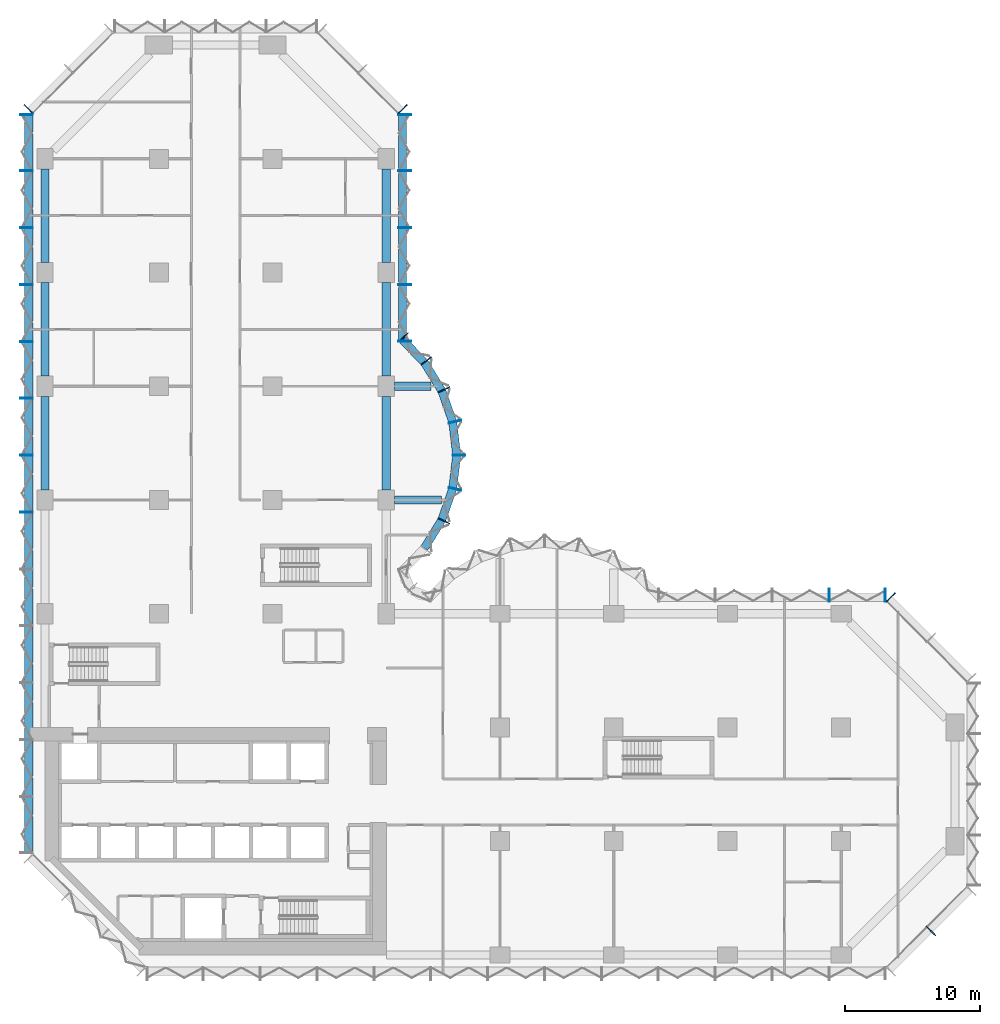
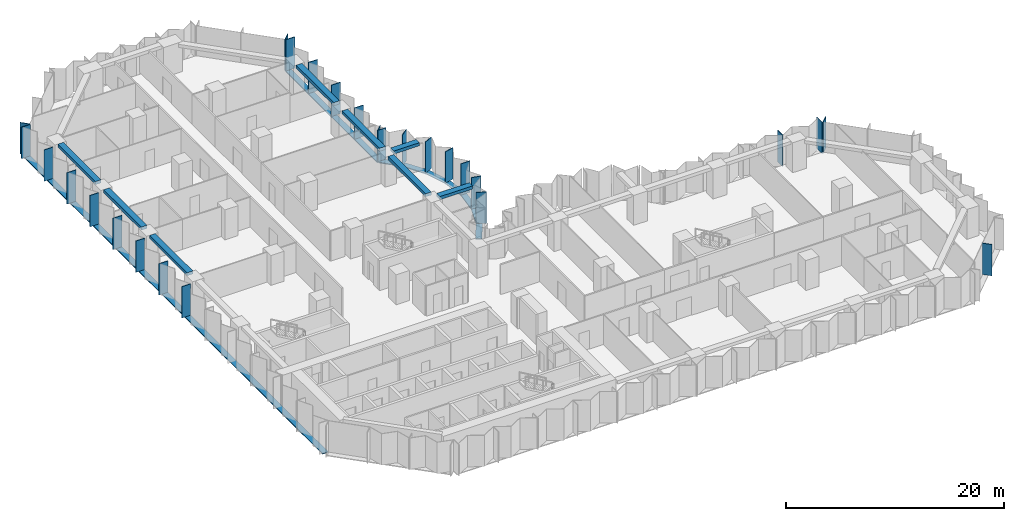
# One storey, part 3 of 15: 35 members, 8 beams, 8 elements without a shape of their own.
"""IFC4 building model written with IfcOpenShell, lengths in metres."""

from ifc_helpers import new_model, si_unit, direction, frame, origin, origin_2d, place, context, subcontext, project, spatial, rectangle, extrude, material, material_profile, profile_set, type_object, element, aggregate, save


model = new_model("IFC4")

# Units and contexts
model_context = context("Model", 3, precision=1e-05, world=origin(), true_north=direction((0.0, 1.0)))
body_context = subcontext(model_context, "Body", "Model", "MODEL_VIEW")
ifc_project = project(units=[si_unit("LENGTHUNIT", "METRE"), si_unit("AREAUNIT", "SQUARE_METRE"), si_unit("VOLUMEUNIT", "CUBIC_METRE"), si_unit("PLANEANGLEUNIT", "RADIAN"), si_unit("MASSUNIT", "GRAM", prefix="KILO")], contexts=[model_context])

# Site, building, storey
site_placement = place(None, origin())
site = spatial("IfcSite", under=ifc_project, at=site_placement, CompositionType="ELEMENT")
building_placement = place(site_placement, origin())
building = spatial("IfcBuilding", under=site, at=building_placement, Name="Brevane Broadcast Tower", CompositionType="ELEMENT")
storey_placement = place(building_placement, frame((0.0, 0.0, 58.10009765625)))
storey = spatial("IfcBuildingStorey", under=building, at=storey_placement, Name="L12", CompositionType="ELEMENT", Elevation=58.10009765625)

# Curtain wall, member
ifc_material_1 = material(Name="Aluminium 6063-T6 bronze anodised", Category="aluminium")
curtain_wall_type = type_object("IfcCurtainWallType", Name="CW-1 curtain wall", PredefinedType="NOTDEFINED", material=ifc_material_1)
curtain_wall_1_placement = place(storey_placement, origin())
curtain_wall_1 = element("IfcCurtainWall", 1, at=curtain_wall_1_placement, inside=storey, type_object=curtain_wall_type, Name="CW-1 typical tilted unit L12 south-east chamfer", PredefinedType="NOTDEFINED")
ifc_material_profile_1 = material_profile(ifc_material_1, rectangle(XDim=0.949951171875, YDim=0.070068359375, at=origin_2d()), Name="RECT 70x950")
ifc_profile_set_1 = profile_set([ifc_material_profile_1], Name="Aluminium 6063-T6 bronze anodised")
member_type_1 = type_object("IfcMemberType", Name="CW-1 mullion 70x950", PredefinedType="MULLION", material=ifc_profile_set_1)
member_1_placement = place(storey_placement, frame((65.435791015625, 1.76416015625, -0.150146484375), z_axis=(0.0, 0.0, 1.0), x_axis=(-0.707106781187, 0.707106781187, 0.0)))
member_1 = element("IfcMember", 2, at=member_1_placement, type_object=member_type_1, Name="CW-1 mullion", PredefinedType="MULLION", context=body_context, shape_type="SweptSolid", body=[
    extrude(rectangle(XDim=0.949951171875, YDim=0.070068359375, at=origin_2d()), origin(), (0.0, 0.0, 1.0), 3.5),
])
aggregate(curtain_wall_1, [member_1])

curtain_wall_2_placement = place(storey_placement, origin())
curtain_wall_2 = element("IfcCurtainWall", 3, at=curtain_wall_2_placement, inside=storey, type_object=curtain_wall_type, Name="CW-1 typical tilted unit L12 north-east chamfer", PredefinedType="NOTDEFINED")
member_2_placement = place(storey_placement, frame((62.460693359375, 26.4111328125, -0.150146484375), z_axis=(0.0, 0.0, 1.0), x_axis=(-0.707106781187, -0.707106781187, 0.0)))
member_2 = element("IfcMember", 4, at=member_2_placement, type_object=member_type_1, Name="CW-1 mullion", PredefinedType="MULLION", context=body_context, shape_type="SweptSolid", body=[
    extrude(rectangle(XDim=0.949951171875, YDim=0.070068359375, at=origin_2d()), origin(), (0.0, 0.0, 1.0), 3.5),
])
aggregate(curtain_wall_2, [member_2])

# Curtain wall, members
curtain_wall_3_placement = place(storey_placement, origin())
curtain_wall_3 = element("IfcCurtainWall", 5, at=curtain_wall_3_placement, inside=storey, type_object=curtain_wall_type, Name="CW-1 typical tilted unit L12 east arm north face", PredefinedType="NOTDEFINED")
member_3_placement = place(storey_placement, frame((62.06494140625, 26.574951171875, -0.150146484375), z_axis=(0.0, 0.0, 1.0), x_axis=(0.0, -1.0, 0.0)))
member_3 = element("IfcMember", 6, at=member_3_placement, type_object=member_type_1, Name="CW-1 mullion", PredefinedType="MULLION", context=body_context, shape_type="SweptSolid", body=[
    extrude(rectangle(XDim=0.949951171875, YDim=0.070068359375, at=origin_2d()), origin(), (0.0, 0.0, 1.0), 3.5),
])
member_4_placement = place(storey_placement, frame((57.89990234375, 26.574951171875, -0.150146484375), z_axis=(0.0, 0.0, 1.0), x_axis=(0.0, -1.0, 0.0)))
member_4 = element("IfcMember", 7, at=member_4_placement, type_object=member_type_1, Name="CW-1 mullion", PredefinedType="MULLION", context=body_context, shape_type="SweptSolid", body=[
    extrude(rectangle(XDim=0.949951171875, YDim=0.070068359375, at=origin_2d()), origin(), (0.0, 0.0, 1.0), 3.5),
])
aggregate(curtain_wall_3, [member_3, member_4])

curtain_wall_4_placement = place(storey_placement, origin())
curtain_wall_4 = element("IfcCurtainWall", 8, at=curtain_wall_4_placement, inside=storey, type_object=curtain_wall_type, Name="CW-1 typical tilted unit L12 north bow", PredefinedType="NOTDEFINED")
member_5_placement = place(storey_placement, frame((29.4580078125, 32.05322265625, -0.150146484375), z_axis=(0.0, 0.0, 1.0), x_axis=(-0.902860508933, 0.429933601163, 0.0)))
member_5 = element("IfcMember", 9, at=member_5_placement, type_object=member_type_1, Name="CW-1 mullion", PredefinedType="MULLION", context=body_context, shape_type="SweptSolid", body=[
    extrude(rectangle(XDim=0.949951171875, YDim=0.070068359375, at=origin_2d()), origin(), (0.0, 0.0, 1.0), 3.5),
])
member_6_placement = place(storey_placement, frame((30.28076171875, 34.411865234375, -0.150146484375), z_axis=(0.0, 0.0, 1.0), x_axis=(-0.974403430594, 0.224806482215, 0.0)))
member_6 = element("IfcMember", 10, at=member_6_placement, type_object=member_type_1, Name="CW-1 mullion", PredefinedType="MULLION", context=body_context, shape_type="SweptSolid", body=[
    extrude(rectangle(XDim=0.949951171875, YDim=0.070068359375, at=origin_2d()), origin(), (0.0, 0.0, 1.0), 3.5),
])
member_7_placement = place(storey_placement, frame((30.574951171875, 36.89990234375, -0.150146484375), z_axis=(0.0, 0.0, 1.0), x_axis=(-1.0, 0.0, 0.0)))
member_7 = element("IfcMember", 11, at=member_7_placement, type_object=member_type_1, Name="CW-1 mullion", PredefinedType="MULLION", context=body_context, shape_type="SweptSolid", body=[
    extrude(rectangle(XDim=0.949951171875, YDim=0.070068359375, at=origin_2d()), origin(), (0.0, 0.0, 1.0), 3.5),
])
member_8_placement = place(storey_placement, frame((30.28076171875, 39.38818359375, -0.150146484375), z_axis=(0.0, 0.0, 1.0), x_axis=(-0.974403430594, -0.224806482215, 0.0)))
member_8 = element("IfcMember", 12, at=member_8_placement, type_object=member_type_1, Name="CW-1 mullion", PredefinedType="MULLION", context=body_context, shape_type="SweptSolid", body=[
    extrude(rectangle(XDim=0.949951171875, YDim=0.070068359375, at=origin_2d()), origin(), (0.0, 0.0, 1.0), 3.5),
])
member_9_placement = place(storey_placement, frame((29.4580078125, 41.746826171875, -0.150146484375), z_axis=(0.0, 0.0, 1.0), x_axis=(-0.902860508933, -0.429933601163, 0.0)))
member_9 = element("IfcMember", 13, at=member_9_placement, type_object=member_type_1, Name="CW-1 mullion", PredefinedType="MULLION", context=body_context, shape_type="SweptSolid", body=[
    extrude(rectangle(XDim=0.949951171875, YDim=0.070068359375, at=origin_2d()), origin(), (0.0, 0.0, 1.0), 3.5),
])
member_10_placement = place(storey_placement, frame((28.1455078125, 43.8720703125, -0.150146484375), z_axis=(0.0, 0.0, 1.0), x_axis=(-0.788706642853, -0.614769738617, 0.0)))
member_10 = element("IfcMember", 14, at=member_10_placement, type_object=member_type_1, Name="CW-1 mullion", PredefinedType="MULLION", context=body_context, shape_type="SweptSolid", body=[
    extrude(rectangle(XDim=0.949951171875, YDim=0.070068359375, at=origin_2d()), origin(), (0.0, 0.0, 1.0), 3.5),
])
member_11_placement = place(storey_placement, frame((26.465087890625, 45.60595703125, -0.150146484375), z_axis=(0.0, 0.0, 1.0), x_axis=(-0.717253872699, -0.696811941702, 0.0)))
member_11 = element("IfcMember", 15, at=member_11_placement, type_object=member_type_1, Name="CW-1 mullion", PredefinedType="MULLION", context=body_context, shape_type="SweptSolid", body=[
    extrude(rectangle(XDim=0.949951171875, YDim=0.070068359375, at=origin_2d()), origin(), (0.0, 0.0, 1.0), 3.5),
])

curtain_wall_5_placement = place(storey_placement, origin())
curtain_wall_5 = element("IfcCurtainWall", 16, at=curtain_wall_5_placement, inside=storey, type_object=curtain_wall_type, Name="CW-1 typical tilted unit L12 north arm east face", PredefinedType="NOTDEFINED")
member_12_placement = place(storey_placement, frame((26.574951171875, 45.3349609375, -0.150146484375), z_axis=(0.0, 0.0, 1.0), x_axis=(-1.0, 0.0, 0.0)))
member_12 = element("IfcMember", 17, at=member_12_placement, type_object=member_type_1, Name="CW-1 mullion", PredefinedType="MULLION", context=body_context, shape_type="SweptSolid", body=[
    extrude(rectangle(XDim=0.949951171875, YDim=0.070068359375, at=origin_2d()), origin(), (0.0, 0.0, 1.0), 3.5),
])
member_13_placement = place(storey_placement, frame((26.574951171875, 49.5, -0.150146484375), z_axis=(0.0, 0.0, 1.0), x_axis=(-1.0, 0.0, 0.0)))
member_13 = element("IfcMember", 18, at=member_13_placement, type_object=member_type_1, Name="CW-1 mullion", PredefinedType="MULLION", context=body_context, shape_type="SweptSolid", body=[
    extrude(rectangle(XDim=0.949951171875, YDim=0.070068359375, at=origin_2d()), origin(), (0.0, 0.0, 1.0), 3.5),
])
member_14_placement = place(storey_placement, frame((26.574951171875, 53.699951171875, -0.150146484375), z_axis=(0.0, 0.0, 1.0), x_axis=(-1.0, 0.0, 0.0)))
member_14 = element("IfcMember", 19, at=member_14_placement, type_object=member_type_1, Name="CW-1 mullion", PredefinedType="MULLION", context=body_context, shape_type="SweptSolid", body=[
    extrude(rectangle(XDim=0.949951171875, YDim=0.070068359375, at=origin_2d()), origin(), (0.0, 0.0, 1.0), 3.5),
])
member_15_placement = place(storey_placement, frame((26.574951171875, 57.89990234375, -0.150146484375), z_axis=(0.0, 0.0, 1.0), x_axis=(-1.0, 0.0, 0.0)))
member_15 = element("IfcMember", 20, at=member_15_placement, type_object=member_type_1, Name="CW-1 mullion", PredefinedType="MULLION", context=body_context, shape_type="SweptSolid", body=[
    extrude(rectangle(XDim=0.949951171875, YDim=0.070068359375, at=origin_2d()), origin(), (0.0, 0.0, 1.0), 3.5),
])
member_16_placement = place(storey_placement, frame((26.574951171875, 62.06494140625, -0.150146484375), z_axis=(0.0, 0.0, 1.0), x_axis=(-1.0, 0.0, 0.0)))
member_16 = element("IfcMember", 21, at=member_16_placement, type_object=member_type_1, Name="CW-1 mullion", PredefinedType="MULLION", context=body_context, shape_type="SweptSolid", body=[
    extrude(rectangle(XDim=0.949951171875, YDim=0.070068359375, at=origin_2d()), origin(), (0.0, 0.0, 1.0), 3.5),
])

# Curtain wall, member
curtain_wall_6_placement = place(storey_placement, origin())
curtain_wall_6 = element("IfcCurtainWall", 22, at=curtain_wall_6_placement, inside=storey, type_object=curtain_wall_type, Name="CW-1 typical tilted unit L12 north arm north-east chamfer", PredefinedType="NOTDEFINED")
member_17_placement = place(storey_placement, frame((26.4111328125, 62.460693359375, -0.150146484375), z_axis=(0.0, 0.0, 1.0), x_axis=(-0.707106781187, -0.707106781187, 0.0)))
member_17 = element("IfcMember", 23, at=member_17_placement, type_object=member_type_1, Name="CW-1 mullion", PredefinedType="MULLION", context=body_context, shape_type="SweptSolid", body=[
    extrude(rectangle(XDim=0.949951171875, YDim=0.070068359375, at=origin_2d()), origin(), (0.0, 0.0, 1.0), 3.5),
])
aggregate(curtain_wall_6, [member_17])

curtain_wall_7_placement = place(storey_placement, origin())
curtain_wall_7 = element("IfcCurtainWall", 24, at=curtain_wall_7_placement, inside=storey, type_object=curtain_wall_type, Name="CW-1 typical tilted unit L12 north-west chamfer", PredefinedType="NOTDEFINED")
member_18_placement = place(storey_placement, frame((-1.211181640625, 62.460693359375, -0.150146484375), z_axis=(0.0, 0.0, 1.0), x_axis=(0.707106781187, -0.707106781187, 0.0)))
member_18 = element("IfcMember", 25, at=member_18_placement, type_object=member_type_1, Name="CW-1 mullion", PredefinedType="MULLION", context=body_context, shape_type="SweptSolid", body=[
    extrude(rectangle(XDim=0.949951171875, YDim=0.070068359375, at=origin_2d()), origin(), (0.0, 0.0, 1.0), 3.5),
])
aggregate(curtain_wall_7, [member_18])

# Curtain wall, members
curtain_wall_8_placement = place(storey_placement, origin())
curtain_wall_8 = element("IfcCurtainWall", 26, at=curtain_wall_8_placement, inside=storey, type_object=curtain_wall_type, Name="CW-1 typical tilted unit L12 west face", PredefinedType="NOTDEFINED")
member_19_placement = place(storey_placement, frame((-1.375, 62.06494140625, -0.150146484375), z_axis=(0.0, 0.0, 1.0), x_axis=(1.0, 0.0, 0.0)))
member_19 = element("IfcMember", 27, at=member_19_placement, type_object=member_type_1, Name="CW-1 mullion", PredefinedType="MULLION", context=body_context, shape_type="SweptSolid", body=[
    extrude(rectangle(XDim=0.949951171875, YDim=0.070068359375, at=origin_2d()), origin(), (0.0, 0.0, 1.0), 3.5),
])
member_20_placement = place(storey_placement, frame((-1.375, 57.89990234375, -0.150146484375), z_axis=(0.0, 0.0, 1.0), x_axis=(1.0, 0.0, 0.0)))
member_20 = element("IfcMember", 28, at=member_20_placement, type_object=member_type_1, Name="CW-1 mullion", PredefinedType="MULLION", context=body_context, shape_type="SweptSolid", body=[
    extrude(rectangle(XDim=0.949951171875, YDim=0.070068359375, at=origin_2d()), origin(), (0.0, 0.0, 1.0), 3.5),
])
member_21_placement = place(storey_placement, frame((-1.375, 53.699951171875, -0.150146484375), z_axis=(0.0, 0.0, 1.0), x_axis=(1.0, 0.0, 0.0)))
member_21 = element("IfcMember", 29, at=member_21_placement, type_object=member_type_1, Name="CW-1 mullion", PredefinedType="MULLION", context=body_context, shape_type="SweptSolid", body=[
    extrude(rectangle(XDim=0.949951171875, YDim=0.070068359375, at=origin_2d()), origin(), (0.0, 0.0, 1.0), 3.5),
])
member_22_placement = place(storey_placement, frame((-1.375, 49.5, -0.150146484375), z_axis=(0.0, 0.0, 1.0), x_axis=(1.0, 0.0, 0.0)))
member_22 = element("IfcMember", 30, at=member_22_placement, type_object=member_type_1, Name="CW-1 mullion", PredefinedType="MULLION", context=body_context, shape_type="SweptSolid", body=[
    extrude(rectangle(XDim=0.949951171875, YDim=0.070068359375, at=origin_2d()), origin(), (0.0, 0.0, 1.0), 3.5),
])
member_23_placement = place(storey_placement, frame((-1.375, 45.300048828125, -0.150146484375), z_axis=(0.0, 0.0, 1.0), x_axis=(1.0, 0.0, 0.0)))
member_23 = element("IfcMember", 31, at=member_23_placement, type_object=member_type_1, Name="CW-1 mullion", PredefinedType="MULLION", context=body_context, shape_type="SweptSolid", body=[
    extrude(rectangle(XDim=0.949951171875, YDim=0.070068359375, at=origin_2d()), origin(), (0.0, 0.0, 1.0), 3.5),
])
member_24_placement = place(storey_placement, frame((-1.375, 41.10009765625, -0.150146484375), z_axis=(0.0, 0.0, 1.0), x_axis=(1.0, 0.0, 0.0)))
member_24 = element("IfcMember", 32, at=member_24_placement, type_object=member_type_1, Name="CW-1 mullion", PredefinedType="MULLION", context=body_context, shape_type="SweptSolid", body=[
    extrude(rectangle(XDim=0.949951171875, YDim=0.070068359375, at=origin_2d()), origin(), (0.0, 0.0, 1.0), 3.5),
])
member_25_placement = place(storey_placement, frame((-1.375, 36.89990234375, -0.150146484375), z_axis=(0.0, 0.0, 1.0), x_axis=(1.0, 0.0, 0.0)))
member_25 = element("IfcMember", 33, at=member_25_placement, type_object=member_type_1, Name="CW-1 mullion", PredefinedType="MULLION", context=body_context, shape_type="SweptSolid", body=[
    extrude(rectangle(XDim=0.949951171875, YDim=0.070068359375, at=origin_2d()), origin(), (0.0, 0.0, 1.0), 3.5),
])
member_26_placement = place(storey_placement, frame((-1.375, 32.699951171875, -0.150146484375), z_axis=(0.0, 0.0, 1.0), x_axis=(1.0, 0.0, 0.0)))
member_26 = element("IfcMember", 34, at=member_26_placement, type_object=member_type_1, Name="CW-1 mullion", PredefinedType="MULLION", context=body_context, shape_type="SweptSolid", body=[
    extrude(rectangle(XDim=0.949951171875, YDim=0.070068359375, at=origin_2d()), origin(), (0.0, 0.0, 1.0), 3.5),
])

# Member
ifc_material_profile_2 = material_profile(ifc_material_1, rectangle(XDim=0.60009765625, YDim=0.10009765625, at=origin_2d()), Name="RECT 100x600")
ifc_profile_set_2 = profile_set([ifc_material_profile_2], Name="Aluminium 6063-T6 bronze anodised")
member_type_2 = type_object("IfcMemberType", Name="CW-1 transom 100x600", PredefinedType="USERDEFINED", material=ifc_profile_set_2)
member_27_placement = place(storey_placement, frame((28.023193359375, 30.0576171875, -0.2001953125), z_axis=(0.525427766759, 0.850838211365, 0.0), x_axis=(-0.850838211365, 0.525427766759, 0.0)))
member_27 = element("IfcMember", 35, at=member_27_placement, type_object=member_type_2, Name="CW-1 transom", ObjectType="TRANSOM", PredefinedType="USERDEFINED", context=body_context, shape_type="SweptSolid", body=[
    extrude(rectangle(XDim=0.60009765625, YDim=0.10009765625, at=origin_2d()), origin(), (0.0, 0.0, 1.0), 2.394775390625),
])

member_28_placement = place(storey_placement, frame((29.314208984375, 32.163818359375, -0.2001953125), z_axis=(0.329378497041, 0.944197969542, 0.0), x_axis=(-0.944197969542, 0.329378497041, 0.0)))
member_28 = element("IfcMember", 36, at=member_28_placement, type_object=member_type_2, Name="CW-1 transom", ObjectType="TRANSOM", PredefinedType="USERDEFINED", context=body_context, shape_type="SweptSolid", body=[
    extrude(rectangle(XDim=0.60009765625, YDim=0.10009765625, at=origin_2d()), origin(), (0.0, 0.0, 1.0), 2.394775390625),
])

member_29_placement = place(storey_placement, frame((30.117431640625, 34.499755859375, -0.2001953125), z_axis=(0.117603307202, 0.993060653805, 0.0), x_axis=(-0.993060653805, 0.117603307202, 0.0)))
member_29 = element("IfcMember", 37, at=member_29_placement, type_object=member_type_2, Name="CW-1 transom", ObjectType="TRANSOM", PredefinedType="USERDEFINED", context=body_context, shape_type="SweptSolid", body=[
    extrude(rectangle(XDim=0.60009765625, YDim=0.10009765625, at=origin_2d()), origin(), (0.0, 0.0, 1.0), 2.397705078125),
])

member_30_placement = place(storey_placement, frame((30.3994140625, 36.9189453125, -0.2001953125), z_axis=(-0.117591417, 0.993062061831, 0.0), x_axis=(-0.993062061831, -0.117591417, 0.0)))
member_30 = element("IfcMember", 38, at=member_30_placement, type_object=member_type_2, Name="CW-1 transom", ObjectType="TRANSOM", PredefinedType="USERDEFINED", context=body_context, shape_type="SweptSolid", body=[
    extrude(rectangle(XDim=0.60009765625, YDim=0.10009765625, at=origin_2d()), origin(), (0.0, 0.0, 1.0), 2.39794921875),
])

member_31_placement = place(storey_placement, frame((30.10302734375, 39.375, -0.2001953125), z_axis=(-0.329378497041, 0.944197969542, 0.0), x_axis=(-0.944197969542, -0.329378497041, 0.0)))
member_31 = element("IfcMember", 39, at=member_31_placement, type_object=member_type_2, Name="CW-1 transom", ObjectType="TRANSOM", PredefinedType="USERDEFINED", context=body_context, shape_type="SweptSolid", body=[
    extrude(rectangle(XDim=0.60009765625, YDim=0.10009765625, at=origin_2d()), origin(), (0.0, 0.0, 1.0), 2.394775390625),
])

member_32_placement = place(storey_placement, frame((29.281494140625, 41.704833984375, -0.2001953125), z_axis=(-0.525473345162, 0.850810063131, 0.0), x_axis=(-0.850810063131, -0.525473345162, 0.0)))
member_32 = element("IfcMember", 40, at=member_32_placement, type_object=member_type_2, Name="CW-1 transom", ObjectType="TRANSOM", PredefinedType="USERDEFINED", context=body_context, shape_type="SweptSolid", body=[
    extrude(rectangle(XDim=0.60009765625, YDim=0.10009765625, at=origin_2d()), origin(), (0.0, 0.0, 1.0), 2.39453125),
])

member_33_placement = place(storey_placement, frame((27.974365234375, 43.800537109375, -0.2001953125), z_axis=(-0.696823999134, 0.71724215871, 0.0), x_axis=(-0.71724215871, -0.696823999134, 0.0)))
member_33 = element("IfcMember", 41, at=member_33_placement, type_object=member_type_2, Name="CW-1 transom", ObjectType="TRANSOM", PredefinedType="USERDEFINED", context=body_context, shape_type="SweptSolid", body=[
    extrude(rectangle(XDim=0.60009765625, YDim=0.10009765625, at=origin_2d()), origin(), (0.0, 0.0, 1.0), 2.247802734375),
])

aggregate(curtain_wall_4, [member_5, member_6, member_7, member_8, member_9, member_10, member_11, member_27, member_28, member_29, member_30, member_31, member_32, member_33])

member_34_placement = place(storey_placement, frame((26.39990234375, 45.300048828125, -0.2001953125), z_axis=(0.0, 1.0, 0.0), x_axis=(-1.0, 0.0, 0.0)))
member_34 = element("IfcMember", 42, at=member_34_placement, type_object=member_type_2, Name="CW-1 transom", ObjectType="TRANSOM", PredefinedType="USERDEFINED", context=body_context, shape_type="SweptSolid", body=[
    extrude(rectangle(XDim=0.60009765625, YDim=0.10009765625, at=origin_2d()), origin(), (0.0, 0.0, 1.0), 16.800048828125),
])

aggregate(curtain_wall_5, [member_12, member_13, member_14, member_15, member_16, member_34])

member_35_placement = place(storey_placement, frame((-1.199951171875, 62.10009765625, -0.2001953125), z_axis=(0.0, -1.0, 0.0), x_axis=(1.0, 0.0, 0.0)))
member_35 = element("IfcMember", 43, at=member_35_placement, type_object=member_type_2, Name="CW-1 transom", ObjectType="TRANSOM", PredefinedType="USERDEFINED", context=body_context, shape_type="SweptSolid", body=[
    extrude(rectangle(XDim=0.60009765625, YDim=0.10009765625, at=origin_2d()), origin(), (0.0, 0.0, 1.0), 54.60009765625),
])

aggregate(curtain_wall_8, [member_19, member_20, member_21, member_22, member_23, member_24, member_25, member_26, member_35])

# Beams
ifc_material_2 = material(Name="Concrete C40/50", Category="concrete")
ifc_material_profile_3 = material_profile(ifc_material_2, rectangle(XDim=0.60009765625, YDim=0.35009765625, at=origin_2d()), Name="RC 600x350")
ifc_profile_set_3 = profile_set([ifc_material_profile_3], Name="Concrete C40/50")
beam_type_1 = type_object("IfcBeamType", Name="RC BRACKET BEAM 600x350 C40/50", PredefinedType="BEAM", material=ifc_profile_set_3)
beam_1_placement = place(storey_placement, frame((25.800048828125, 33.60009765625, 3.1748046875), z_axis=(1.0, 0.0, 0.0), x_axis=(0.0, 1.0, 0.0)))
element("IfcBeam", 44, at=beam_1_placement, inside=storey, type_object=beam_type_1, Name="EB2 L12-1", PredefinedType="BEAM", context=body_context, shape_type="SweptSolid", body=[
    extrude(rectangle(XDim=0.60009765625, YDim=0.35009765625, at=origin_2d()), origin(), (0.0, 0.0, 1.0), 3.4619140625),
])
beam_2_placement = place(storey_placement, frame((25.800048828125, 42.0, 3.1748046875), z_axis=(1.0, 0.0, 0.0), x_axis=(0.0, 1.0, 0.0)))
element("IfcBeam", 45, at=beam_2_placement, inside=storey, type_object=beam_type_1, Name="EB2 L12-2", PredefinedType="BEAM", context=body_context, shape_type="SweptSolid", body=[
    extrude(rectangle(XDim=0.60009765625, YDim=0.35009765625, at=origin_2d()), origin(), (0.0, 0.0, 1.0), 2.71142578125),
])
ifc_material_profile_4 = material_profile(ifc_material_2, rectangle(XDim=0.60009765625, YDim=0.35009765625, at=origin_2d()), Name="RC 600x350")
ifc_profile_set_4 = profile_set([ifc_material_profile_4], Name="Concrete C40/50")
beam_type_2 = type_object("IfcBeamType", Name="RC SPANDREL BEAM 600x350 C40/50", PredefinedType="SPANDREL", material=ifc_profile_set_4)
for number, where, z_axis, x_axis, name in (
    (46, (25.199951171875, 34.35009765625, 3.1748046875), (0.0, 1.0, 0.0), (-1.0, 0.0, 0.0), "EB1 L12-13"),
    (47, (25.199951171875, 42.75, 3.1748046875), (0.0, 1.0, 0.0), (-1.0, 0.0, 0.0), "EB1 L12-14"),
):
    element("IfcBeam", number, at=place(storey_placement, frame(where, z_axis=z_axis, x_axis=x_axis)), inside=storey, type_object=beam_type_2, Name=name, PredefinedType="SPANDREL", context=body_context, shape_type="SweptSolid", body=[
        extrude(rectangle(XDim=0.60009765625, YDim=0.35009765625, at=origin_2d()), origin(), (0.0, 0.0, 1.0), 6.89990234375),
    ])
for number, where, z_axis, x_axis, name in (
    (48, (25.199951171875, 51.14990234375, 3.1748046875), (0.0, 1.0, 0.0), (-1.0, 0.0, 0.0), "EB1 L12-15"),
    (49, (0.0, 58.050048828125, 3.1748046875), (0.0, -1.0, 0.0), (1.0, 0.0, 0.0), "EB1 L12-19"),
):
    element("IfcBeam", number, at=place(storey_placement, frame(where, z_axis=z_axis, x_axis=x_axis)), inside=storey, type_object=beam_type_2, Name=name, PredefinedType="SPANDREL", context=body_context, shape_type="SweptSolid", body=[
        extrude(rectangle(XDim=0.60009765625, YDim=0.35009765625, at=origin_2d()), origin(), (0.0, 0.0, 1.0), 6.900146484375),
    ])
for number, where, z_axis, x_axis, name in (
    (50, (0.0, 49.64990234375, 3.1748046875), (0.0, -1.0, 0.0), (1.0, 0.0, 0.0), "EB1 L12-20"),
    (51, (0.0, 41.25, 3.1748046875), (0.0, -1.0, 0.0), (1.0, 0.0, 0.0), "EB1 L12-21"),
):
    element("IfcBeam", number, at=place(storey_placement, frame(where, z_axis=z_axis, x_axis=x_axis)), inside=storey, type_object=beam_type_2, Name=name, PredefinedType="SPANDREL", context=body_context, shape_type="SweptSolid", body=[
        extrude(rectangle(XDim=0.60009765625, YDim=0.35009765625, at=origin_2d()), origin(), (0.0, 0.0, 1.0), 6.89990234375),
    ])

save(model, "model.ifc")
